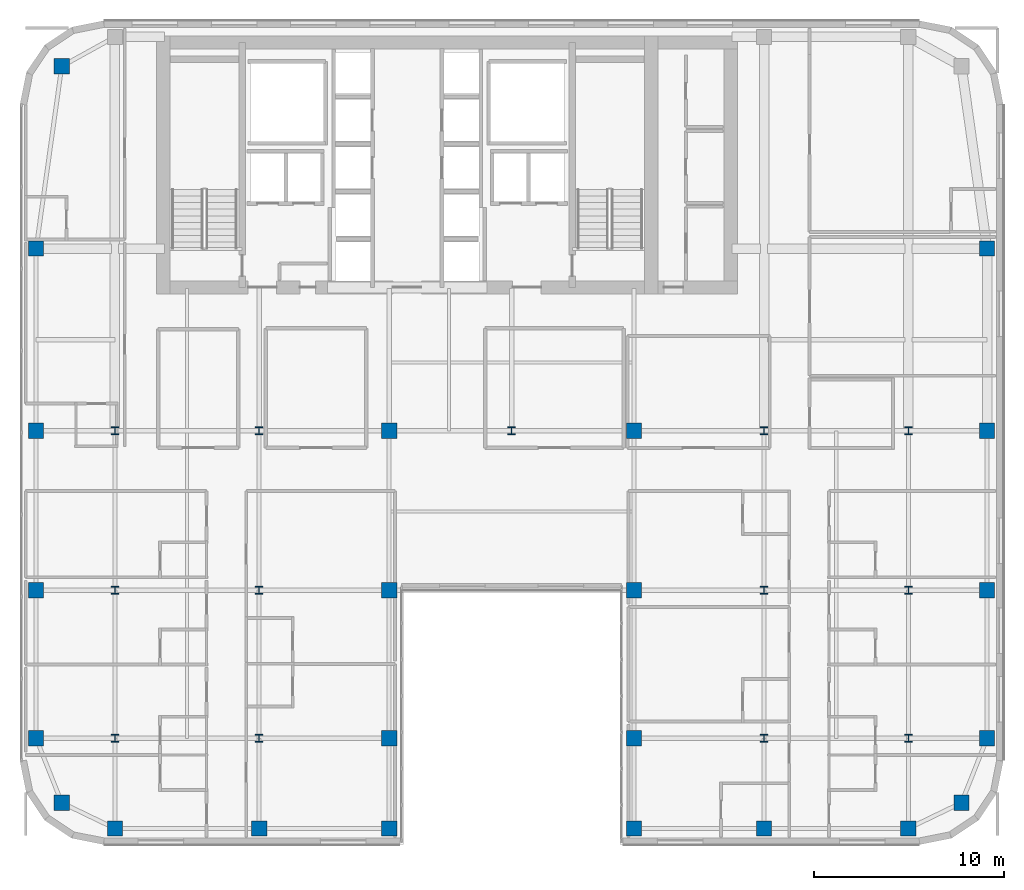
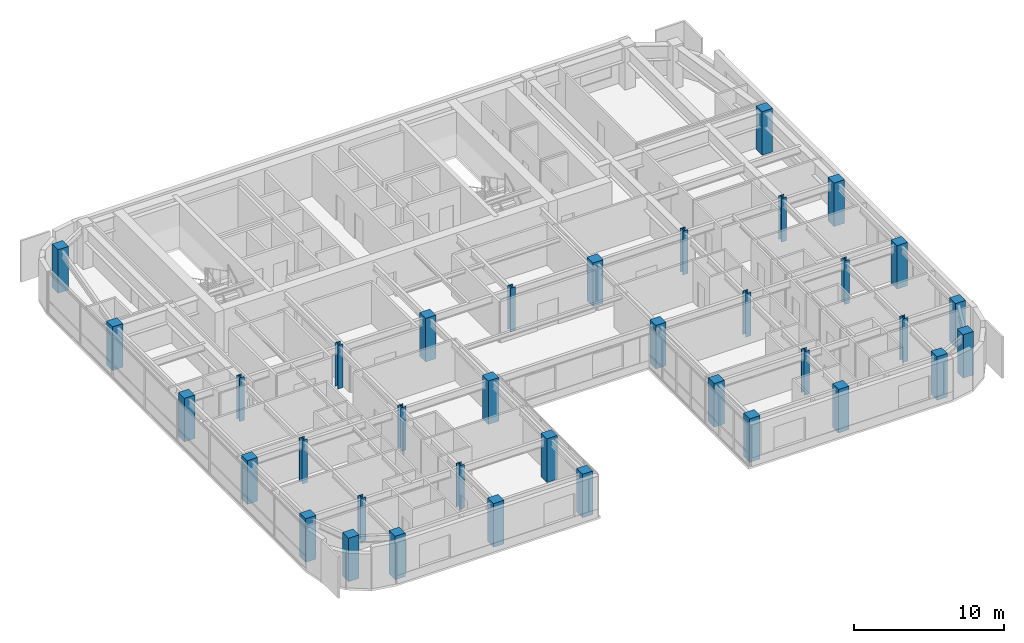
# One storey, part 1 of 28: 36 columns.
"""IFC4 building model written with IfcOpenShell, lengths in metres."""

from ifc_helpers import new_model, si_unit, direction, frame, origin, origin_2d, place, context, subcontext, project, spatial, rectangle, i_section, extrude, source, transform, mapped, material, material_profile, profile_set, type_object, type_shapes, element, save


model = new_model("IFC4")

# Units and contexts
model_context = context("Model", 3, precision=1e-05, world=origin(), true_north=direction((0.0, 1.0)))
body_context = subcontext(model_context, "Body", "Model", "MODEL_VIEW")
ifc_project = project(units=[si_unit("LENGTHUNIT", "METRE"), si_unit("AREAUNIT", "SQUARE_METRE"), si_unit("VOLUMEUNIT", "CUBIC_METRE"), si_unit("PLANEANGLEUNIT", "RADIAN"), si_unit("MASSUNIT", "GRAM", prefix="KILO")], contexts=[model_context])

# Site, building, storey
site_placement = place(None, origin())
site = spatial("IfcSite", under=ifc_project, at=site_placement, CompositionType="ELEMENT")
building_placement = place(site_placement, origin())
building = spatial("IfcBuilding", under=site, at=building_placement, Name="Tolvann Quenvar Hotel", CompositionType="ELEMENT")
storey_placement = place(building_placement, frame((0.0, 0.0, 154.14990234375)))
storey = spatial("IfcBuildingStorey", under=building, at=storey_placement, Name="L40", CompositionType="ELEMENT", Elevation=154.14990234375)

# Columns
ifc_material_1 = material(Name="Concrete N50 (50 MPa)", Category="concrete")
ifc_material_profile_1 = material_profile(ifc_material_1, rectangle(XDim=0.800048828125, YDim=0.800048828125, at=origin_2d()), Name="RC800x800")
ifc_profile_set_1 = profile_set([ifc_material_profile_1], Name="Concrete N50 (50 MPa)")
column_type_1 = type_object("IfcColumnType", Name="COL_RC800", PredefinedType="COLUMN", material=ifc_profile_set_1)
shared_shape_1 = source(origin(), body_context, "Body", "SweptSolid", [
    extrude(rectangle(XDim=0.800048828125, YDim=0.800048828125, at=origin_2d()), origin(), (0.0, 0.0, 1.0), 3.550048828125),
])
type_shapes(column_type_1, [shared_shape_1])
for number, where, z_axis, x_axis, name in (
    (1, (4.800048828125, 4.800048828125, 0.0), (0.0, 0.0, 1.0), (1.0, 0.0, 0.0), "Column B2 (L40)"),
    (2, (3.449951171875, 8.199951171875, 0.0), (0.0, 0.0, 1.0), (1.0, 0.0, 0.0), "Column B3 (L40)"),
    (3, (3.449951171875, 16.0, 0.0), (0.0, 0.0, 1.0), (1.0, 0.0, 0.0), "Column B4 (L40)"),
    (4, (3.449951171875, 24.39990234375, 0.0), (0.0, 0.0, 1.0), (1.0, 0.0, 0.0), "Column B5 (L40)"),
    (5, (7.60009765625, 3.449951171875, 0.0), (0.0, 0.0, 1.0), (1.0, 0.0, 0.0), "Column C2 (L40)"),
    (6, (15.199951171875, 3.449951171875, 0.0), (0.0, 0.0, 1.0), (1.0, 0.0, 0.0), "Column D2 (L40)"),
    (7, (22.050048828125, 3.449951171875, 0.0), (0.0, 0.0, 1.0), (1.0, 0.0, 0.0), "Column E2 (L40)"),
    (8, (22.050048828125, 8.199951171875, 0.0), (0.0, 0.0, 1.0), (1.0, 0.0, 0.0), "Column E3 (L40)"),
    (9, (22.050048828125, 16.0, 0.0), (0.0, 0.0, 1.0), (1.0, 0.0, 0.0), "Column E4 (L40)"),
    (10, (22.050048828125, 24.39990234375, 0.0), (0.0, 0.0, 1.0), (1.0, 0.0, 0.0), "Column E5 (L40)"),
    (11, (34.949951171875, 3.449951171875, 0.0), (0.0, 0.0, 1.0), (1.0, 0.0, 0.0), "Column F2 (L40)"),
    (12, (34.949951171875, 8.199951171875, 0.0), (0.0, 0.0, 1.0), (1.0, 0.0, 0.0), "Column F3 (L40)"),
    (13, (34.949951171875, 16.0, 0.0), (0.0, 0.0, 1.0), (1.0, 0.0, 0.0), "Column F4 (L40)"),
    (14, (34.949951171875, 24.39990234375, 0.0), (0.0, 0.0, 1.0), (1.0, 0.0, 0.0), "Column F5 (L40)"),
    (15, (41.800048828125, 3.449951171875, 0.0), (0.0, 0.0, 1.0), (1.0, 0.0, 0.0), "Column H2 (L40)"),
    (16, (49.39990234375, 3.449951171875, 0.0), (0.0, 0.0, 1.0), (1.0, 0.0, 0.0), "Column I2 (L40)"),
    (17, (52.199951171875, 4.800048828125, 0.0), (0.0, 0.0, 1.0), (1.0, 0.0, 0.0), "Column J2 (L40)"),
    (18, (53.550048828125, 8.199951171875, 0.0), (0.0, 0.0, 1.0), (1.0, 0.0, 0.0), "Column J3 (L40)"),
    (19, (53.550048828125, 16.0, 0.0), (0.0, 0.0, 1.0), (1.0, 0.0, 0.0), "Column J4 (L40)"),
    (20, (53.550048828125, 24.39990234375, 0.0), (0.0, 0.0, 1.0), (1.0, 0.0, 0.0), "Column J5 (L40)"),
    (21, (4.800048828125, 43.60009765625, 0.0), (0.0, 0.0, 1.0), (1.0, 0.0, 0.0), "Column BN (L40)"),
    (22, (3.449951171875, 34.0, 0.0), (0.0, 0.0, 1.0), (1.0, 0.0, 0.0), "Column BD6 (L40)"),
    (23, (53.550048828125, 34.0, 0.0), (0.0, 0.0, 1.0), (1.0, 0.0, 0.0), "Column JD6 (L40)"),
):
    element("IfcColumn", number, at=place(storey_placement, frame(where, z_axis=z_axis, x_axis=x_axis)), inside=storey, type_object=column_type_1, Name=name, PredefinedType="COLUMN", context=body_context, shape_type="MappedRepresentation", body=[
        mapped(shared_shape_1, transform((0.0, 0.0, 0.0), x_axis=(1.0, 0.0, 0.0), y_axis=(0.0, 1.0, 0.0), z_axis=(0.0, 0.0, 1.0), scale=1.0)),
    ])
ifc_material_2 = material(Name="Steel Grade 350", Category="steel")
ifc_material_profile_2 = material_profile(ifc_material_2, i_section(OverallWidth=0.39990234375, OverallDepth=0.39990234375, WebThickness=0.02001953125, FlangeThickness=0.034912109375, at=origin_2d()), Name="400WC270")
ifc_profile_set_2 = profile_set([ifc_material_profile_2], Name="Steel Grade 350")
column_type_2 = type_object("IfcColumnType", Name="COL_400WC270", PredefinedType="COLUMN", material=ifc_profile_set_2)
shared_shape_2 = source(origin(), body_context, "Body", "SweptSolid", [
    extrude(i_section(OverallWidth=0.39990234375, OverallDepth=0.39990234375, WebThickness=0.02001953125, FlangeThickness=0.034912109375, at=origin_2d()), origin(), (0.0, 0.0, 1.0), 3.550048828125),
])
type_shapes(column_type_2, [shared_shape_2])
for number, where, z_axis, x_axis, name in (
    (24, (7.60009765625, 8.199951171875, 0.0), (0.0, 0.0, 1.0), (1.0, 0.0, 0.0), "Column C3 (L40)"),
    (25, (7.60009765625, 16.0, 0.0), (0.0, 0.0, 1.0), (1.0, 0.0, 0.0), "Column C4 (L40)"),
    (26, (7.60009765625, 24.39990234375, 0.0), (0.0, 0.0, 1.0), (1.0, 0.0, 0.0), "Column C5 (L40)"),
    (27, (15.199951171875, 8.199951171875, 0.0), (0.0, 0.0, 1.0), (1.0, 0.0, 0.0), "Column D3 (L40)"),
    (28, (15.199951171875, 16.0, 0.0), (0.0, 0.0, 1.0), (1.0, 0.0, 0.0), "Column D4 (L40)"),
    (29, (15.199951171875, 24.39990234375, 0.0), (0.0, 0.0, 1.0), (1.0, 0.0, 0.0), "Column D5 (L40)"),
    (30, (41.800048828125, 8.199951171875, 0.0), (0.0, 0.0, 1.0), (1.0, 0.0, 0.0), "Column H3 (L40)"),
    (31, (41.800048828125, 16.0, 0.0), (0.0, 0.0, 1.0), (1.0, 0.0, 0.0), "Column H4 (L40)"),
    (32, (41.800048828125, 24.39990234375, 0.0), (0.0, 0.0, 1.0), (1.0, 0.0, 0.0), "Column H5 (L40)"),
    (33, (49.39990234375, 8.199951171875, 0.0), (0.0, 0.0, 1.0), (1.0, 0.0, 0.0), "Column I3 (L40)"),
    (34, (49.39990234375, 16.0, 0.0), (0.0, 0.0, 1.0), (1.0, 0.0, 0.0), "Column I4 (L40)"),
    (35, (49.39990234375, 24.39990234375, 0.0), (0.0, 0.0, 1.0), (1.0, 0.0, 0.0), "Column I5 (L40)"),
    (36, (28.5, 24.39990234375, 0.0), (0.0, 0.0, 1.0), (1.0, 0.0, 0.0), "Column M5 (L40)"),
):
    element("IfcColumn", number, at=place(storey_placement, frame(where, z_axis=z_axis, x_axis=x_axis)), inside=storey, type_object=column_type_2, Name=name, PredefinedType="COLUMN", context=body_context, shape_type="MappedRepresentation", body=[
        mapped(shared_shape_2, transform((0.0, 0.0, 0.0), x_axis=(1.0, 0.0, 0.0), y_axis=(0.0, 1.0, 0.0), z_axis=(0.0, 0.0, 1.0), scale=1.0)),
    ])

save(model, "model.ifc")
